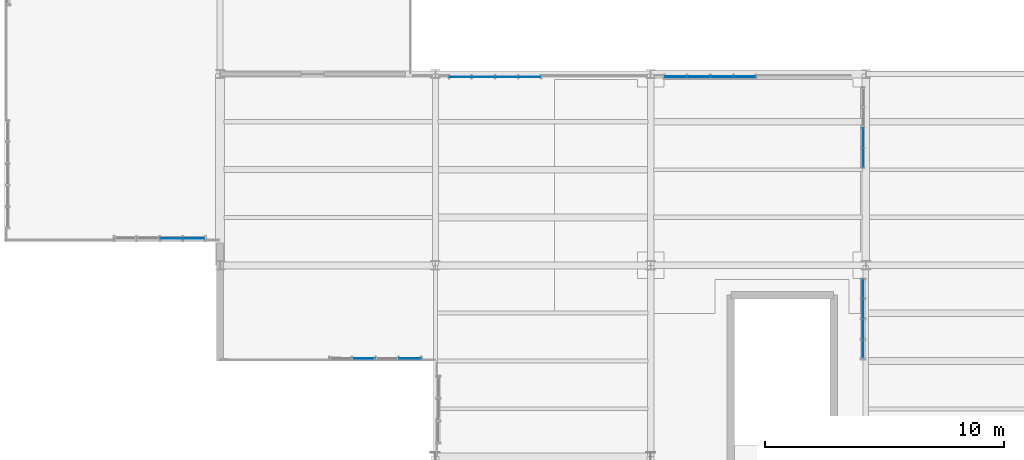
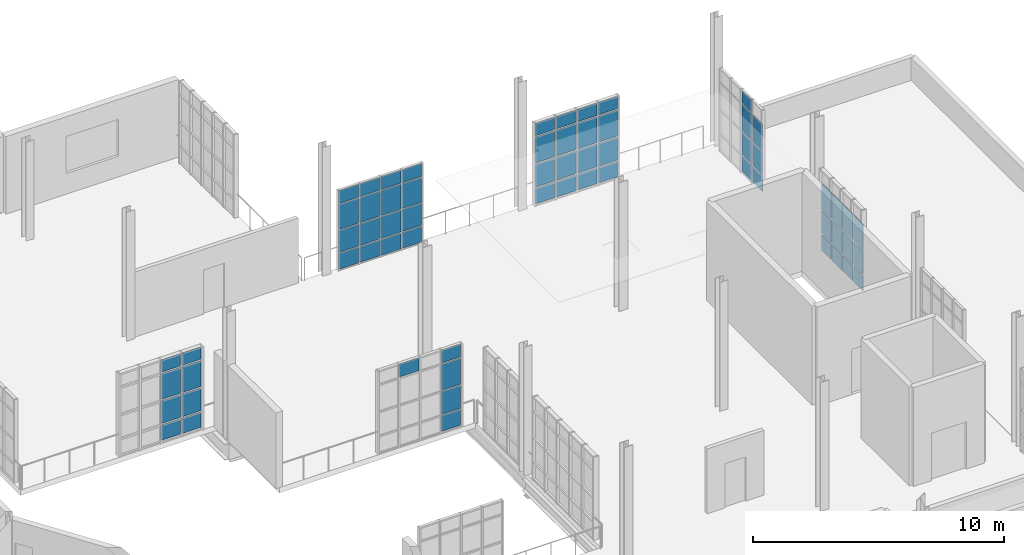
# One storey, part 94 of 118: 64 plates, 6 elements without a shape of their own.
"""IFC4 building model written with IfcOpenShell, lengths in metres."""

from ifc_helpers import new_model, si_unit, direction, frame, origin, origin_2d, place, context, subcontext, project, spatial, rectangle, extrude, material, layer, layer_set, type_object, element, aggregate, save


model = new_model("IFC4")

# Units and contexts
model_context = context("Model", 3, precision=1e-05, world=origin(), true_north=direction((0.0, 1.0)))
body_context = subcontext(model_context, "Body", "Model", "MODEL_VIEW")
ifc_project = project(units=[si_unit("LENGTHUNIT", "METRE"), si_unit("AREAUNIT", "SQUARE_METRE"), si_unit("VOLUMEUNIT", "CUBIC_METRE"), si_unit("PLANEANGLEUNIT", "RADIAN"), si_unit("MASSUNIT", "GRAM", prefix="KILO"), si_unit("THERMODYNAMICTEMPERATUREUNIT", "KELVIN"), si_unit("POWERUNIT", "WATT")], contexts=[model_context])

# Site, building, storey
site_placement = place(None, origin())
site = spatial("IfcSite", under=ifc_project, at=site_placement, CompositionType="ELEMENT")
building_placement = place(site_placement, origin())
building = spatial("IfcBuilding", under=site, at=building_placement, Name="Zelmaris Science Centre", CompositionType="ELEMENT")
storey_placement = place(building_placement, frame((0.0, 0.0, 15.60009765625)))
storey = spatial("IfcBuildingStorey", under=building, at=storey_placement, Name="L03", CompositionType="ELEMENT", Elevation=15.60009765625)

# Curtain wall, plates
ifc_material_1 = material(Name="Anodised architectural aluminium 6063-T6", Category="aluminium")
ifc_layer_1 = layer(ifc_material_1, 0.18994140625, Name="Anodised architectural aluminium 6063-T6")
ifc_layer_set_1 = layer_set([ifc_layer_1], Name="Anodised architectural aluminium 6063-T6")
curtain_wall_type_1 = type_object("IfcCurtainWallType", Name="Curtain Wall CW-01", PredefinedType="USERDEFINED", material=ifc_layer_set_1)
curtain_wall_1_placement = place(storey_placement, origin())
curtain_wall_1 = element("IfcCurtainWall", 1, at=curtain_wall_1_placement, inside=storey, type_object=curtain_wall_type_1, Name="L03 Unitised curtain wall 329", ObjectType="GLAZED CURTAIN WALL", PredefinedType="USERDEFINED")
ifc_material_2 = material(Name="Laminated hurricane-rated low-E insulated glazing", Category="glass")
ifc_layer_2 = layer(ifc_material_2, 0.031982421875, Name="Laminated hurricane-rated low-E insulated glazing")
ifc_layer_set_2 = layer_set([ifc_layer_2], Name="Laminated hurricane-rated low-E insulated glazing")
plate_type_1 = type_object("IfcPlateType", Name="Curtain Glazing Panel CWP-1 32mm", PredefinedType="CURTAIN_PANEL", material=ifc_layer_set_2)
plate_1_placement = place(storey_placement, frame((106.91455078125, 49.11767578125, 0.05712890625), z_axis=(0.0, 0.0, 1.0), x_axis=(-0.999999959785, 0.00028360017, 0.0)))
plate_1 = element("IfcPlate", 2, at=plate_1_placement, type_object=plate_type_1, Name="CW-01 panel 1.1", PredefinedType="CURTAIN_PANEL", context=body_context, shape_type="SweptSolid", body=[
    extrude(rectangle(XDim=0.861572265625, YDim=0.031982421875, at=origin_2d()), origin(), (0.0, 0.0, 1.0), 0.741943359375),
])
plate_2_placement = place(storey_placement, frame((106.91455078125, 49.11767578125, 0.870849609375), z_axis=(0.0, 0.0, 1.0), x_axis=(-0.999999959785, 0.00028360017, 0.0)))
plate_2 = element("IfcPlate", 3, at=plate_2_placement, type_object=plate_type_1, Name="CW-01 panel 1.2", PredefinedType="CURTAIN_PANEL", context=body_context, shape_type="SweptSolid", body=[
    extrude(rectangle(XDim=0.861572265625, YDim=0.031982421875, at=origin_2d()), origin(), (0.0, 0.0, 1.0), 1.1005859375),
])
plate_3_placement = place(storey_placement, frame((106.91455078125, 49.11767578125, 2.04345703125), z_axis=(0.0, 0.0, 1.0), x_axis=(-0.999999959785, 0.00028360017, 0.0)))
plate_3 = element("IfcPlate", 4, at=plate_3_placement, type_object=plate_type_1, Name="CW-01 panel 1.3", PredefinedType="CURTAIN_PANEL", context=body_context, shape_type="SweptSolid", body=[
    extrude(rectangle(XDim=0.861572265625, YDim=0.031982421875, at=origin_2d()), origin(), (0.0, 0.0, 1.0), 1.25048828125),
])
plate_4_placement = place(storey_placement, frame((106.91455078125, 49.11767578125, 3.36572265625), z_axis=(0.0, 0.0, 1.0), x_axis=(-0.999999959785, 0.00028360017, 0.0)))
plate_4 = element("IfcPlate", 5, at=plate_4_placement, type_object=plate_type_1, Name="CW-01 panel 1.4", PredefinedType="CURTAIN_PANEL", context=body_context, shape_type="SweptSolid", body=[
    extrude(rectangle(XDim=0.861572265625, YDim=0.031982421875, at=origin_2d()), origin(), (0.0, 0.0, 1.0), 0.592041015625),
])
plate_5_placement = place(storey_placement, frame((105.962890625, 49.117919921875, 0.05712890625), z_axis=(0.0, 0.0, 1.0), x_axis=(-0.999999959785, 0.00028360017, 0.0)))
plate_5 = element("IfcPlate", 6, at=plate_5_placement, type_object=plate_type_1, Name="CW-01 panel 2.1", PredefinedType="CURTAIN_PANEL", context=body_context, shape_type="SweptSolid", body=[
    extrude(rectangle(XDim=0.897705078125, YDim=0.031982421875, at=origin_2d()), origin(), (0.0, 0.0, 1.0), 0.741943359375),
])
plate_6_placement = place(storey_placement, frame((105.962890625, 49.117919921875, 0.870849609375), z_axis=(0.0, 0.0, 1.0), x_axis=(-0.999999959785, 0.00028360017, 0.0)))
plate_6 = element("IfcPlate", 7, at=plate_6_placement, type_object=plate_type_1, Name="CW-01 panel 2.2", PredefinedType="CURTAIN_PANEL", context=body_context, shape_type="SweptSolid", body=[
    extrude(rectangle(XDim=0.897705078125, YDim=0.031982421875, at=origin_2d()), origin(), (0.0, 0.0, 1.0), 1.1005859375),
])
plate_7_placement = place(storey_placement, frame((105.962890625, 49.117919921875, 2.04345703125), z_axis=(0.0, 0.0, 1.0), x_axis=(-0.999999959785, 0.00028360017, 0.0)))
plate_7 = element("IfcPlate", 8, at=plate_7_placement, type_object=plate_type_1, Name="CW-01 panel 2.3", PredefinedType="CURTAIN_PANEL", context=body_context, shape_type="SweptSolid", body=[
    extrude(rectangle(XDim=0.897705078125, YDim=0.031982421875, at=origin_2d()), origin(), (0.0, 0.0, 1.0), 1.25048828125),
])
plate_8_placement = place(storey_placement, frame((105.962890625, 49.117919921875, 3.36572265625), z_axis=(0.0, 0.0, 1.0), x_axis=(-0.999999959785, 0.00028360017, 0.0)))
plate_8 = element("IfcPlate", 9, at=plate_8_placement, type_object=plate_type_1, Name="CW-01 panel 2.4", PredefinedType="CURTAIN_PANEL", context=body_context, shape_type="SweptSolid", body=[
    extrude(rectangle(XDim=0.897705078125, YDim=0.031982421875, at=origin_2d()), origin(), (0.0, 0.0, 1.0), 0.592041015625),
])
aggregate(curtain_wall_1, [plate_1, plate_2, plate_3, plate_4, plate_5, plate_6, plate_7, plate_8])

ifc_layer_3 = layer(ifc_material_1, 0.199951171875, Name="Anodised architectural aluminium 6063-T6")
ifc_layer_set_3 = layer_set([ifc_layer_3], Name="Anodised architectural aluminium 6063-T6")
curtain_wall_type_2 = type_object("IfcCurtainWallType", Name="Curtain Wall CW-02", PredefinedType="USERDEFINED", material=ifc_layer_set_3)
curtain_wall_2_placement = place(storey_placement, origin())
curtain_wall_2 = element("IfcCurtainWall", 10, at=curtain_wall_2_placement, inside=storey, type_object=curtain_wall_type_2, Name="L03 Unitised curtain wall 294", ObjectType="GLAZED CURTAIN WALL", PredefinedType="USERDEFINED")
ifc_layer_4 = layer(ifc_material_2, 0.028076171875, Name="Laminated hurricane-rated low-E insulated glazing")
ifc_layer_set_4 = layer_set([ifc_layer_4], Name="Laminated hurricane-rated low-E insulated glazing")
plate_type_2 = type_object("IfcPlateType", Name="Curtain Glazing Panel CWP-2 28mm", PredefinedType="CURTAIN_PANEL", material=ifc_layer_set_4)
plate_9_placement = place(storey_placement, frame((127.044189453125, 55.8798828125, 0.052001953125), z_axis=(0.0, 0.0, 1.0), x_axis=(0.999999999671, -2.5641033e-05, 0.0)))
plate_9 = element("IfcPlate", 11, at=plate_9_placement, type_object=plate_type_2, Name="CW-02 panel 1.1", PredefinedType="CURTAIN_PANEL", context=body_context, shape_type="SweptSolid", body=[
    extrude(rectangle(XDim=0.87451171875, YDim=0.028076171875, at=origin_2d()), origin(), (0.0, 0.0, 1.0), 0.74951171875),
])
plate_10_placement = place(storey_placement, frame((127.044189453125, 55.8798828125, 0.868408203125), z_axis=(0.0, 0.0, 1.0), x_axis=(0.999999999671, -2.5641033e-05, 0.0)))
plate_10 = element("IfcPlate", 12, at=plate_10_placement, type_object=plate_type_2, Name="CW-02 panel 1.2", PredefinedType="CURTAIN_PANEL", context=body_context, shape_type="SweptSolid", body=[
    extrude(rectangle(XDim=0.87451171875, YDim=0.028076171875, at=origin_2d()), origin(), (0.0, 0.0, 1.0), 1.10546875),
])
plate_11_placement = place(storey_placement, frame((127.044189453125, 55.8798828125, 2.041015625), z_axis=(0.0, 0.0, 1.0), x_axis=(0.999999999671, -2.5641033e-05, 0.0)))
plate_11 = element("IfcPlate", 13, at=plate_11_placement, type_object=plate_type_2, Name="CW-02 panel 1.3", PredefinedType="CURTAIN_PANEL", context=body_context, shape_type="SweptSolid", body=[
    extrude(rectangle(XDim=0.87451171875, YDim=0.028076171875, at=origin_2d()), origin(), (0.0, 0.0, 1.0), 1.255615234375),
])
plate_12_placement = place(storey_placement, frame((127.044189453125, 55.8798828125, 3.36328125), z_axis=(0.0, 0.0, 1.0), x_axis=(0.999999999671, -2.5641033e-05, 0.0)))
plate_12 = element("IfcPlate", 14, at=plate_12_placement, type_object=plate_type_2, Name="CW-02 panel 1.4", PredefinedType="CURTAIN_PANEL", context=body_context, shape_type="SweptSolid", body=[
    extrude(rectangle(XDim=0.87451171875, YDim=0.028076171875, at=origin_2d()), origin(), (0.0, 0.0, 1.0), 0.599609375),
])
plate_13_placement = place(storey_placement, frame((128.00244140625, 55.8798828125, 0.052001953125), z_axis=(0.0, 0.0, 1.0), x_axis=(0.999999999671, -2.5641033e-05, 0.0)))
plate_13 = element("IfcPlate", 15, at=plate_13_placement, type_object=plate_type_2, Name="CW-02 panel 2.1", PredefinedType="CURTAIN_PANEL", context=body_context, shape_type="SweptSolid", body=[
    extrude(rectangle(XDim=0.907958984375, YDim=0.028076171875, at=origin_2d()), origin(), (0.0, 0.0, 1.0), 0.74951171875),
])
plate_14_placement = place(storey_placement, frame((128.00244140625, 55.8798828125, 0.868408203125), z_axis=(0.0, 0.0, 1.0), x_axis=(0.999999999671, -2.5641033e-05, 0.0)))
plate_14 = element("IfcPlate", 16, at=plate_14_placement, type_object=plate_type_2, Name="CW-02 panel 2.2", PredefinedType="CURTAIN_PANEL", context=body_context, shape_type="SweptSolid", body=[
    extrude(rectangle(XDim=0.907958984375, YDim=0.028076171875, at=origin_2d()), origin(), (0.0, 0.0, 1.0), 1.10546875),
])
plate_15_placement = place(storey_placement, frame((128.00244140625, 55.8798828125, 2.041015625), z_axis=(0.0, 0.0, 1.0), x_axis=(0.999999999671, -2.5641033e-05, 0.0)))
plate_15 = element("IfcPlate", 17, at=plate_15_placement, type_object=plate_type_2, Name="CW-02 panel 2.3", PredefinedType="CURTAIN_PANEL", context=body_context, shape_type="SweptSolid", body=[
    extrude(rectangle(XDim=0.907958984375, YDim=0.028076171875, at=origin_2d()), origin(), (0.0, 0.0, 1.0), 1.255615234375),
])
plate_16_placement = place(storey_placement, frame((128.00244140625, 55.8798828125, 3.36328125), z_axis=(0.0, 0.0, 1.0), x_axis=(0.999999999671, -2.5641033e-05, 0.0)))
plate_16 = element("IfcPlate", 18, at=plate_16_placement, type_object=plate_type_2, Name="CW-02 panel 2.4", PredefinedType="CURTAIN_PANEL", context=body_context, shape_type="SweptSolid", body=[
    extrude(rectangle(XDim=0.907958984375, YDim=0.028076171875, at=origin_2d()), origin(), (0.0, 0.0, 1.0), 0.599609375),
])
plate_17_placement = place(storey_placement, frame((128.9775390625, 55.8798828125, 0.052001953125), z_axis=(0.0, 0.0, 1.0), x_axis=(0.999999999671, -2.5641033e-05, 0.0)))
plate_17 = element("IfcPlate", 19, at=plate_17_placement, type_object=plate_type_2, Name="CW-02 panel 3.1", PredefinedType="CURTAIN_PANEL", context=body_context, shape_type="SweptSolid", body=[
    extrude(rectangle(XDim=0.907958984375, YDim=0.028076171875, at=origin_2d()), origin(), (0.0, 0.0, 1.0), 0.74951171875),
])
plate_18_placement = place(storey_placement, frame((128.9775390625, 55.8798828125, 0.868408203125), z_axis=(0.0, 0.0, 1.0), x_axis=(0.999999999671, -2.5641033e-05, 0.0)))
plate_18 = element("IfcPlate", 20, at=plate_18_placement, type_object=plate_type_2, Name="CW-02 panel 3.2", PredefinedType="CURTAIN_PANEL", context=body_context, shape_type="SweptSolid", body=[
    extrude(rectangle(XDim=0.907958984375, YDim=0.028076171875, at=origin_2d()), origin(), (0.0, 0.0, 1.0), 1.10546875),
])
plate_19_placement = place(storey_placement, frame((128.9775390625, 55.8798828125, 2.041015625), z_axis=(0.0, 0.0, 1.0), x_axis=(0.999999999671, -2.5641033e-05, 0.0)))
plate_19 = element("IfcPlate", 21, at=plate_19_placement, type_object=plate_type_2, Name="CW-02 panel 3.3", PredefinedType="CURTAIN_PANEL", context=body_context, shape_type="SweptSolid", body=[
    extrude(rectangle(XDim=0.907958984375, YDim=0.028076171875, at=origin_2d()), origin(), (0.0, 0.0, 1.0), 1.255615234375),
])
plate_20_placement = place(storey_placement, frame((128.9775390625, 55.8798828125, 3.36328125), z_axis=(0.0, 0.0, 1.0), x_axis=(0.999999999671, -2.5641033e-05, 0.0)))
plate_20 = element("IfcPlate", 22, at=plate_20_placement, type_object=plate_type_2, Name="CW-02 panel 3.4", PredefinedType="CURTAIN_PANEL", context=body_context, shape_type="SweptSolid", body=[
    extrude(rectangle(XDim=0.907958984375, YDim=0.028076171875, at=origin_2d()), origin(), (0.0, 0.0, 1.0), 0.599609375),
])
plate_21_placement = place(storey_placement, frame((129.935791015625, 55.8798828125, 0.052001953125), z_axis=(0.0, 0.0, 1.0), x_axis=(0.999999999671, -2.5641033e-05, 0.0)))
plate_21 = element("IfcPlate", 23, at=plate_21_placement, type_object=plate_type_2, Name="CW-02 panel 4.1", PredefinedType="CURTAIN_PANEL", context=body_context, shape_type="SweptSolid", body=[
    extrude(rectangle(XDim=0.87451171875, YDim=0.028076171875, at=origin_2d()), origin(), (0.0, 0.0, 1.0), 0.74951171875),
])
plate_22_placement = place(storey_placement, frame((129.935791015625, 55.8798828125, 0.868408203125), z_axis=(0.0, 0.0, 1.0), x_axis=(0.999999999671, -2.5641033e-05, 0.0)))
plate_22 = element("IfcPlate", 24, at=plate_22_placement, type_object=plate_type_2, Name="CW-02 panel 4.2", PredefinedType="CURTAIN_PANEL", context=body_context, shape_type="SweptSolid", body=[
    extrude(rectangle(XDim=0.87451171875, YDim=0.028076171875, at=origin_2d()), origin(), (0.0, 0.0, 1.0), 1.10546875),
])
plate_23_placement = place(storey_placement, frame((129.935791015625, 55.8798828125, 2.041015625), z_axis=(0.0, 0.0, 1.0), x_axis=(0.999999999671, -2.5641033e-05, 0.0)))
plate_23 = element("IfcPlate", 25, at=plate_23_placement, type_object=plate_type_2, Name="CW-02 panel 4.3", PredefinedType="CURTAIN_PANEL", context=body_context, shape_type="SweptSolid", body=[
    extrude(rectangle(XDim=0.87451171875, YDim=0.028076171875, at=origin_2d()), origin(), (0.0, 0.0, 1.0), 1.255615234375),
])
plate_24_placement = place(storey_placement, frame((129.935791015625, 55.8798828125, 3.36328125), z_axis=(0.0, 0.0, 1.0), x_axis=(0.999999999671, -2.5641033e-05, 0.0)))
plate_24 = element("IfcPlate", 26, at=plate_24_placement, type_object=plate_type_2, Name="CW-02 panel 4.4", PredefinedType="CURTAIN_PANEL", context=body_context, shape_type="SweptSolid", body=[
    extrude(rectangle(XDim=0.87451171875, YDim=0.028076171875, at=origin_2d()), origin(), (0.0, 0.0, 1.0), 0.599609375),
])
aggregate(curtain_wall_2, [plate_9, plate_10, plate_11, plate_12, plate_13, plate_14, plate_15, plate_16, plate_17, plate_18, plate_19, plate_20, plate_21, plate_22, plate_23, plate_24])

curtain_wall_3_placement = place(storey_placement, origin())
curtain_wall_3 = element("IfcCurtainWall", 27, at=curtain_wall_3_placement, inside=storey, type_object=curtain_wall_type_2, Name="L03 Unitised curtain wall 298", ObjectType="GLAZED CURTAIN WALL", PredefinedType="USERDEFINED")
plate_25_placement = place(storey_placement, frame((134.8798828125, 47.018310546875, 0.052001953125), z_axis=(0.0, 0.0, 1.0), x_axis=(0.0, -1.0, 0.0)))
plate_25 = element("IfcPlate", 28, at=plate_25_placement, type_object=plate_type_2, Name="CW-02 panel 1.1", PredefinedType="CURTAIN_PANEL", context=body_context, shape_type="SweptSolid", body=[
    extrude(rectangle(XDim=0.74951171875, YDim=0.028076171875, at=origin_2d()), origin(), (0.0, 0.0, 1.0), 0.74951171875),
])
plate_26_placement = place(storey_placement, frame((134.8798828125, 47.018310546875, 0.868408203125), z_axis=(0.0, 0.0, 1.0), x_axis=(0.0, -1.0, 0.0)))
plate_26 = element("IfcPlate", 29, at=plate_26_placement, type_object=plate_type_2, Name="CW-02 panel 1.2", PredefinedType="CURTAIN_PANEL", context=body_context, shape_type="SweptSolid", body=[
    extrude(rectangle(XDim=0.74951171875, YDim=0.028076171875, at=origin_2d()), origin(), (0.0, 0.0, 1.0), 1.10546875),
])
plate_27_placement = place(storey_placement, frame((134.8798828125, 47.018310546875, 2.041015625), z_axis=(0.0, 0.0, 1.0), x_axis=(0.0, -1.0, 0.0)))
plate_27 = element("IfcPlate", 30, at=plate_27_placement, type_object=plate_type_2, Name="CW-02 panel 1.3", PredefinedType="CURTAIN_PANEL", context=body_context, shape_type="SweptSolid", body=[
    extrude(rectangle(XDim=0.74951171875, YDim=0.028076171875, at=origin_2d()), origin(), (0.0, 0.0, 1.0), 1.255615234375),
])
plate_28_placement = place(storey_placement, frame((134.8798828125, 46.18505859375, 0.052001953125), z_axis=(0.0, 0.0, 1.0), x_axis=(0.0, -1.0, 0.0)))
plate_28 = element("IfcPlate", 31, at=plate_28_placement, type_object=plate_type_2, Name="CW-02 panel 2.1", PredefinedType="CURTAIN_PANEL", context=body_context, shape_type="SweptSolid", body=[
    extrude(rectangle(XDim=0.782958984375, YDim=0.028076171875, at=origin_2d()), origin(), (0.0, 0.0, 1.0), 0.74951171875),
])
plate_29_placement = place(storey_placement, frame((134.8798828125, 46.18505859375, 0.868408203125), z_axis=(0.0, 0.0, 1.0), x_axis=(0.0, -1.0, 0.0)))
plate_29 = element("IfcPlate", 32, at=plate_29_placement, type_object=plate_type_2, Name="CW-02 panel 2.2", PredefinedType="CURTAIN_PANEL", context=body_context, shape_type="SweptSolid", body=[
    extrude(rectangle(XDim=0.782958984375, YDim=0.028076171875, at=origin_2d()), origin(), (0.0, 0.0, 1.0), 1.10546875),
])
plate_30_placement = place(storey_placement, frame((134.8798828125, 46.18505859375, 2.041015625), z_axis=(0.0, 0.0, 1.0), x_axis=(0.0, -1.0, 0.0)))
plate_30 = element("IfcPlate", 33, at=plate_30_placement, type_object=plate_type_2, Name="CW-02 panel 2.3", PredefinedType="CURTAIN_PANEL", context=body_context, shape_type="SweptSolid", body=[
    extrude(rectangle(XDim=0.782958984375, YDim=0.028076171875, at=origin_2d()), origin(), (0.0, 0.0, 1.0), 1.255615234375),
])
plate_31_placement = place(storey_placement, frame((134.8798828125, 45.3349609375, 0.052001953125), z_axis=(0.0, 0.0, 1.0), x_axis=(0.0, -1.0, 0.0)))
plate_31 = element("IfcPlate", 34, at=plate_31_placement, type_object=plate_type_2, Name="CW-02 panel 3.1", PredefinedType="CURTAIN_PANEL", context=body_context, shape_type="SweptSolid", body=[
    extrude(rectangle(XDim=0.782958984375, YDim=0.028076171875, at=origin_2d()), origin(), (0.0, 0.0, 1.0), 0.74951171875),
])
plate_32_placement = place(storey_placement, frame((134.8798828125, 45.3349609375, 0.868408203125), z_axis=(0.0, 0.0, 1.0), x_axis=(0.0, -1.0, 0.0)))
plate_32 = element("IfcPlate", 35, at=plate_32_placement, type_object=plate_type_2, Name="CW-02 panel 3.2", PredefinedType="CURTAIN_PANEL", context=body_context, shape_type="SweptSolid", body=[
    extrude(rectangle(XDim=0.782958984375, YDim=0.028076171875, at=origin_2d()), origin(), (0.0, 0.0, 1.0), 1.10546875),
])
plate_33_placement = place(storey_placement, frame((134.8798828125, 45.3349609375, 2.041015625), z_axis=(0.0, 0.0, 1.0), x_axis=(0.0, -1.0, 0.0)))
plate_33 = element("IfcPlate", 36, at=plate_33_placement, type_object=plate_type_2, Name="CW-02 panel 3.3", PredefinedType="CURTAIN_PANEL", context=body_context, shape_type="SweptSolid", body=[
    extrude(rectangle(XDim=0.782958984375, YDim=0.028076171875, at=origin_2d()), origin(), (0.0, 0.0, 1.0), 1.255615234375),
])
plate_34_placement = place(storey_placement, frame((134.8798828125, 44.501708984375, 0.052001953125), z_axis=(0.0, 0.0, 1.0), x_axis=(0.0, -1.0, 0.0)))
plate_34 = element("IfcPlate", 37, at=plate_34_placement, type_object=plate_type_2, Name="CW-02 panel 4.1", PredefinedType="CURTAIN_PANEL", context=body_context, shape_type="SweptSolid", body=[
    extrude(rectangle(XDim=0.74951171875, YDim=0.028076171875, at=origin_2d()), origin(), (0.0, 0.0, 1.0), 0.74951171875),
])
plate_35_placement = place(storey_placement, frame((134.8798828125, 44.501708984375, 0.868408203125), z_axis=(0.0, 0.0, 1.0), x_axis=(0.0, -1.0, 0.0)))
plate_35 = element("IfcPlate", 38, at=plate_35_placement, type_object=plate_type_2, Name="CW-02 panel 4.2", PredefinedType="CURTAIN_PANEL", context=body_context, shape_type="SweptSolid", body=[
    extrude(rectangle(XDim=0.74951171875, YDim=0.028076171875, at=origin_2d()), origin(), (0.0, 0.0, 1.0), 1.10546875),
])
plate_36_placement = place(storey_placement, frame((134.8798828125, 44.501708984375, 2.041015625), z_axis=(0.0, 0.0, 1.0), x_axis=(0.0, -1.0, 0.0)))
plate_36 = element("IfcPlate", 39, at=plate_36_placement, type_object=plate_type_2, Name="CW-02 panel 4.3", PredefinedType="CURTAIN_PANEL", context=body_context, shape_type="SweptSolid", body=[
    extrude(rectangle(XDim=0.74951171875, YDim=0.028076171875, at=origin_2d()), origin(), (0.0, 0.0, 1.0), 1.255615234375),
])
aggregate(curtain_wall_3, [plate_25, plate_26, plate_27, plate_28, plate_29, plate_30, plate_31, plate_32, plate_33, plate_34, plate_35, plate_36])

ifc_layer_5 = layer(ifc_material_1, 0.2099609375, Name="Anodised architectural aluminium 6063-T6")
ifc_layer_set_5 = layer_set([ifc_layer_5], Name="Anodised architectural aluminium 6063-T6")
curtain_wall_type_3 = type_object("IfcCurtainWallType", Name="Curtain Wall CW-03", PredefinedType="USERDEFINED", material=ifc_layer_set_5)
curtain_wall_4_placement = place(storey_placement, origin())
curtain_wall_4 = element("IfcCurtainWall", 40, at=curtain_wall_4_placement, inside=storey, type_object=curtain_wall_type_3, Name="L03 Unitised curtain wall 327", ObjectType="GLAZED CURTAIN WALL", PredefinedType="USERDEFINED")
ifc_layer_6 = layer(ifc_material_2, 0.02587890625, Name="Laminated hurricane-rated low-E insulated glazing")
ifc_layer_set_6 = layer_set([ifc_layer_6], Name="Laminated hurricane-rated low-E insulated glazing")
plate_type_3 = type_object("IfcPlateType", Name="Curtain Glazing Panel CWP-3 26mm", PredefinedType="CURTAIN_PANEL", material=ifc_layer_set_6)
plate_37_placement = place(storey_placement, frame((115.93798828125, 44.10791015625, 0.0419921875), z_axis=(0.0, 0.0, 1.0), x_axis=(-0.999998849207, 0.001517097758, 0.0)))
plate_37 = element("IfcPlate", 41, at=plate_37_placement, type_object=plate_type_3, Name="CW-03 panel 1.1", PredefinedType="CURTAIN_PANEL", context=body_context, shape_type="SweptSolid", body=[
    extrude(rectangle(XDim=0.88671875, YDim=0.02587890625, at=origin_2d()), origin(), (0.0, 0.0, 1.0), 0.764404296875),
])
plate_38_placement = place(storey_placement, frame((115.93798828125, 44.10791015625, 0.86328125), z_axis=(0.0, 0.0, 1.0), x_axis=(-0.999998849207, 0.001517097758, 0.0)))
plate_38 = element("IfcPlate", 42, at=plate_38_placement, type_object=plate_type_3, Name="CW-03 panel 1.2", PredefinedType="CURTAIN_PANEL", context=body_context, shape_type="SweptSolid", body=[
    extrude(rectangle(XDim=0.88671875, YDim=0.02587890625, at=origin_2d()), origin(), (0.0, 0.0, 1.0), 1.115478515625),
])
plate_39_placement = place(storey_placement, frame((115.93798828125, 44.10791015625, 2.0361328125), z_axis=(0.0, 0.0, 1.0), x_axis=(-0.999998849207, 0.001517097758, 0.0)))
plate_39 = element("IfcPlate", 43, at=plate_39_placement, type_object=plate_type_3, Name="CW-03 panel 1.3", PredefinedType="CURTAIN_PANEL", context=body_context, shape_type="SweptSolid", body=[
    extrude(rectangle(XDim=0.88671875, YDim=0.02587890625, at=origin_2d()), origin(), (0.0, 0.0, 1.0), 1.265380859375),
])
plate_40_placement = place(storey_placement, frame((115.93798828125, 44.10791015625, 3.3583984375), z_axis=(0.0, 0.0, 1.0), x_axis=(-0.999998849207, 0.001517097758, 0.0)))
plate_40 = element("IfcPlate", 44, at=plate_40_placement, type_object=plate_type_3, Name="CW-03 panel 1.4", PredefinedType="CURTAIN_PANEL", context=body_context, shape_type="SweptSolid", body=[
    extrude(rectangle(XDim=0.88671875, YDim=0.02587890625, at=origin_2d()), origin(), (0.0, 0.0, 1.0), 0.614501953125),
])
plate_41_placement = place(storey_placement, frame((114.007568359375, 44.11083984375, 3.3583984375), z_axis=(0.0, 0.0, 1.0), x_axis=(-0.999998849207, 0.001517097758, 0.0)))
plate_41 = element("IfcPlate", 45, at=plate_41_placement, type_object=plate_type_3, Name="CW-03 panel 3.4", PredefinedType="CURTAIN_PANEL", context=body_context, shape_type="SweptSolid", body=[
    extrude(rectangle(XDim=0.915283203125, YDim=0.02587890625, at=origin_2d()), origin(), (0.0, 0.0, 1.0), 0.614501953125),
])
aggregate(curtain_wall_4, [plate_37, plate_38, plate_39, plate_40, plate_41])

ifc_layer_7 = layer(ifc_material_1, 0.219970703125, Name="Anodised architectural aluminium 6063-T6")
ifc_layer_set_7 = layer_set([ifc_layer_7], Name="Anodised architectural aluminium 6063-T6")
curtain_wall_type_4 = type_object("IfcCurtainWallType", Name="Curtain Wall CW-04", PredefinedType="USERDEFINED", material=ifc_layer_set_7)
curtain_wall_5_placement = place(storey_placement, origin())
curtain_wall_5 = element("IfcCurtainWall", 46, at=curtain_wall_5_placement, inside=storey, type_object=curtain_wall_type_4, Name="L03 Unitised curtain wall 292", ObjectType="GLAZED CURTAIN WALL", PredefinedType="USERDEFINED")
ifc_layer_8 = layer(ifc_material_2, 0.02392578125, Name="Laminated hurricane-rated low-E insulated glazing")
ifc_layer_set_8 = layer_set([ifc_layer_8], Name="Laminated hurricane-rated low-E insulated glazing")
plate_type_4 = type_object("IfcPlateType", Name="Curtain Glazing Panel CWP-4 24mm", PredefinedType="CURTAIN_PANEL", material=ifc_layer_set_8)
plate_42_placement = place(storey_placement, frame((118.04052734375, 55.8798828125, 0.036865234375), z_axis=(0.0, 0.0, 1.0), x_axis=(1.0, 0.0, 0.0)))
plate_42 = element("IfcPlate", 47, at=plate_42_placement, type_object=plate_type_4, Name="CW-04 panel 1.1", PredefinedType="CURTAIN_PANEL", context=body_context, shape_type="SweptSolid", body=[
    extrude(rectangle(XDim=0.89697265625, YDim=0.02392578125, at=origin_2d()), origin(), (0.0, 0.0, 1.0), 0.77197265625),
])
plate_43_placement = place(storey_placement, frame((118.04052734375, 55.8798828125, 0.86083984375), z_axis=(0.0, 0.0, 1.0), x_axis=(1.0, 0.0, 0.0)))
plate_43 = element("IfcPlate", 48, at=plate_43_placement, type_object=plate_type_4, Name="CW-04 panel 1.2", PredefinedType="CURTAIN_PANEL", context=body_context, shape_type="SweptSolid", body=[
    extrude(rectangle(XDim=0.89697265625, YDim=0.02392578125, at=origin_2d()), origin(), (0.0, 0.0, 1.0), 1.056884765625),
])
plate_44_placement = place(storey_placement, frame((118.04052734375, 55.8798828125, 1.969970703125), z_axis=(0.0, 0.0, 1.0), x_axis=(1.0, 0.0, 0.0)))
plate_44 = element("IfcPlate", 49, at=plate_44_placement, type_object=plate_type_4, Name="CW-04 panel 1.3", PredefinedType="CURTAIN_PANEL", context=body_context, shape_type="SweptSolid", body=[
    extrude(rectangle(XDim=0.89697265625, YDim=0.02392578125, at=origin_2d()), origin(), (0.0, 0.0, 1.0), 1.20703125),
])
plate_45_placement = place(storey_placement, frame((118.04052734375, 55.8798828125, 3.228759765625), z_axis=(0.0, 0.0, 1.0), x_axis=(1.0, 0.0, 0.0)))
plate_45 = element("IfcPlate", 50, at=plate_45_placement, type_object=plate_type_4, Name="CW-04 panel 1.4", PredefinedType="CURTAIN_PANEL", context=body_context, shape_type="SweptSolid", body=[
    extrude(rectangle(XDim=0.89697265625, YDim=0.02392578125, at=origin_2d()), origin(), (0.0, 0.0, 1.0), 0.6220703125),
])
plate_46_placement = place(storey_placement, frame((119.00244140625, 55.8798828125, 0.036865234375), z_axis=(0.0, 0.0, 1.0), x_axis=(1.0, 0.0, 0.0)))
plate_46 = element("IfcPlate", 51, at=plate_46_placement, type_object=plate_type_4, Name="CW-04 panel 2.1", PredefinedType="CURTAIN_PANEL", context=body_context, shape_type="SweptSolid", body=[
    extrude(rectangle(XDim=0.923095703125, YDim=0.02392578125, at=origin_2d()), origin(), (0.0, 0.0, 1.0), 0.77197265625),
])
plate_47_placement = place(storey_placement, frame((119.00244140625, 55.8798828125, 0.86083984375), z_axis=(0.0, 0.0, 1.0), x_axis=(1.0, 0.0, 0.0)))
plate_47 = element("IfcPlate", 52, at=plate_47_placement, type_object=plate_type_4, Name="CW-04 panel 2.2", PredefinedType="CURTAIN_PANEL", context=body_context, shape_type="SweptSolid", body=[
    extrude(rectangle(XDim=0.923095703125, YDim=0.02392578125, at=origin_2d()), origin(), (0.0, 0.0, 1.0), 1.056884765625),
])
plate_48_placement = place(storey_placement, frame((119.00244140625, 55.8798828125, 1.969970703125), z_axis=(0.0, 0.0, 1.0), x_axis=(1.0, 0.0, 0.0)))
plate_48 = element("IfcPlate", 53, at=plate_48_placement, type_object=plate_type_4, Name="CW-04 panel 2.3", PredefinedType="CURTAIN_PANEL", context=body_context, shape_type="SweptSolid", body=[
    extrude(rectangle(XDim=0.923095703125, YDim=0.02392578125, at=origin_2d()), origin(), (0.0, 0.0, 1.0), 1.20703125),
])
plate_49_placement = place(storey_placement, frame((119.00244140625, 55.8798828125, 3.228759765625), z_axis=(0.0, 0.0, 1.0), x_axis=(1.0, 0.0, 0.0)))
plate_49 = element("IfcPlate", 54, at=plate_49_placement, type_object=plate_type_4, Name="CW-04 panel 2.4", PredefinedType="CURTAIN_PANEL", context=body_context, shape_type="SweptSolid", body=[
    extrude(rectangle(XDim=0.923095703125, YDim=0.02392578125, at=origin_2d()), origin(), (0.0, 0.0, 1.0), 0.6220703125),
])
plate_50_placement = place(storey_placement, frame((119.9775390625, 55.8798828125, 0.036865234375), z_axis=(0.0, 0.0, 1.0), x_axis=(1.0, 0.0, 0.0)))
plate_50 = element("IfcPlate", 55, at=plate_50_placement, type_object=plate_type_4, Name="CW-04 panel 3.1", PredefinedType="CURTAIN_PANEL", context=body_context, shape_type="SweptSolid", body=[
    extrude(rectangle(XDim=0.923095703125, YDim=0.02392578125, at=origin_2d()), origin(), (0.0, 0.0, 1.0), 0.77197265625),
])
plate_51_placement = place(storey_placement, frame((119.9775390625, 55.8798828125, 0.86083984375), z_axis=(0.0, 0.0, 1.0), x_axis=(1.0, 0.0, 0.0)))
plate_51 = element("IfcPlate", 56, at=plate_51_placement, type_object=plate_type_4, Name="CW-04 panel 3.2", PredefinedType="CURTAIN_PANEL", context=body_context, shape_type="SweptSolid", body=[
    extrude(rectangle(XDim=0.923095703125, YDim=0.02392578125, at=origin_2d()), origin(), (0.0, 0.0, 1.0), 1.056884765625),
])
plate_52_placement = place(storey_placement, frame((119.9775390625, 55.8798828125, 1.969970703125), z_axis=(0.0, 0.0, 1.0), x_axis=(1.0, 0.0, 0.0)))
plate_52 = element("IfcPlate", 57, at=plate_52_placement, type_object=plate_type_4, Name="CW-04 panel 3.3", PredefinedType="CURTAIN_PANEL", context=body_context, shape_type="SweptSolid", body=[
    extrude(rectangle(XDim=0.923095703125, YDim=0.02392578125, at=origin_2d()), origin(), (0.0, 0.0, 1.0), 1.20703125),
])
plate_53_placement = place(storey_placement, frame((119.9775390625, 55.8798828125, 3.228759765625), z_axis=(0.0, 0.0, 1.0), x_axis=(1.0, 0.0, 0.0)))
plate_53 = element("IfcPlate", 58, at=plate_53_placement, type_object=plate_type_4, Name="CW-04 panel 3.4", PredefinedType="CURTAIN_PANEL", context=body_context, shape_type="SweptSolid", body=[
    extrude(rectangle(XDim=0.923095703125, YDim=0.02392578125, at=origin_2d()), origin(), (0.0, 0.0, 1.0), 0.6220703125),
])
plate_54_placement = place(storey_placement, frame((120.939453125, 55.8798828125, 0.036865234375), z_axis=(0.0, 0.0, 1.0), x_axis=(1.0, 0.0, 0.0)))
plate_54 = element("IfcPlate", 59, at=plate_54_placement, type_object=plate_type_4, Name="CW-04 panel 4.1", PredefinedType="CURTAIN_PANEL", context=body_context, shape_type="SweptSolid", body=[
    extrude(rectangle(XDim=0.89697265625, YDim=0.02392578125, at=origin_2d()), origin(), (0.0, 0.0, 1.0), 0.77197265625),
])
plate_55_placement = place(storey_placement, frame((120.939453125, 55.8798828125, 0.86083984375), z_axis=(0.0, 0.0, 1.0), x_axis=(1.0, 0.0, 0.0)))
plate_55 = element("IfcPlate", 60, at=plate_55_placement, type_object=plate_type_4, Name="CW-04 panel 4.2", PredefinedType="CURTAIN_PANEL", context=body_context, shape_type="SweptSolid", body=[
    extrude(rectangle(XDim=0.89697265625, YDim=0.02392578125, at=origin_2d()), origin(), (0.0, 0.0, 1.0), 1.056884765625),
])
plate_56_placement = place(storey_placement, frame((120.939453125, 55.8798828125, 1.969970703125), z_axis=(0.0, 0.0, 1.0), x_axis=(1.0, 0.0, 0.0)))
plate_56 = element("IfcPlate", 61, at=plate_56_placement, type_object=plate_type_4, Name="CW-04 panel 4.3", PredefinedType="CURTAIN_PANEL", context=body_context, shape_type="SweptSolid", body=[
    extrude(rectangle(XDim=0.89697265625, YDim=0.02392578125, at=origin_2d()), origin(), (0.0, 0.0, 1.0), 1.20703125),
])
plate_57_placement = place(storey_placement, frame((120.939453125, 55.8798828125, 3.228759765625), z_axis=(0.0, 0.0, 1.0), x_axis=(1.0, 0.0, 0.0)))
plate_57 = element("IfcPlate", 62, at=plate_57_placement, type_object=plate_type_4, Name="CW-04 panel 4.4", PredefinedType="CURTAIN_PANEL", context=body_context, shape_type="SweptSolid", body=[
    extrude(rectangle(XDim=0.89697265625, YDim=0.02392578125, at=origin_2d()), origin(), (0.0, 0.0, 1.0), 0.6220703125),
])
aggregate(curtain_wall_5, [plate_42, plate_43, plate_44, plate_45, plate_46, plate_47, plate_48, plate_49, plate_50, plate_51, plate_52, plate_53, plate_54, plate_55, plate_56, plate_57])

curtain_wall_6_placement = place(storey_placement, origin())
curtain_wall_6 = element("IfcCurtainWall", 63, at=curtain_wall_6_placement, inside=storey, type_object=curtain_wall_type_4, Name="L03 Unitised curtain wall 296", ObjectType="GLAZED CURTAIN WALL", PredefinedType="USERDEFINED")
plate_58_placement = place(storey_placement, frame((134.8798828125, 53.3349609375, 0.036865234375), z_axis=(0.0, 0.0, 1.0), x_axis=(0.0, -1.0, 0.0)))
plate_58 = element("IfcPlate", 64, at=plate_58_placement, type_object=plate_type_4, Name="CW-04 panel 3.1", PredefinedType="CURTAIN_PANEL", context=body_context, shape_type="SweptSolid", body=[
    extrude(rectangle(XDim=0.798095703125, YDim=0.02392578125, at=origin_2d()), origin(), (0.0, 0.0, 1.0), 0.77197265625),
])
plate_59_placement = place(storey_placement, frame((134.8798828125, 53.3349609375, 0.86083984375), z_axis=(0.0, 0.0, 1.0), x_axis=(0.0, -1.0, 0.0)))
plate_59 = element("IfcPlate", 65, at=plate_59_placement, type_object=plate_type_4, Name="CW-04 panel 3.2", PredefinedType="CURTAIN_PANEL", context=body_context, shape_type="SweptSolid", body=[
    extrude(rectangle(XDim=0.798095703125, YDim=0.02392578125, at=origin_2d()), origin(), (0.0, 0.0, 1.0), 1.12060546875),
])
plate_60_placement = place(storey_placement, frame((134.8798828125, 53.3349609375, 2.033447265625), z_axis=(0.0, 0.0, 1.0), x_axis=(0.0, -1.0, 0.0)))
plate_60 = element("IfcPlate", 66, at=plate_60_placement, type_object=plate_type_4, Name="CW-04 panel 3.3", PredefinedType="CURTAIN_PANEL", context=body_context, shape_type="SweptSolid", body=[
    extrude(rectangle(XDim=0.798095703125, YDim=0.02392578125, at=origin_2d()), origin(), (0.0, 0.0, 1.0), 1.2705078125),
])
plate_61_placement = place(storey_placement, frame((134.8798828125, 53.3349609375, 3.35595703125), z_axis=(0.0, 0.0, 1.0), x_axis=(0.0, -1.0, 0.0)))
plate_61 = element("IfcPlate", 67, at=plate_61_placement, type_object=plate_type_4, Name="CW-04 panel 3.4", PredefinedType="CURTAIN_PANEL", context=body_context, shape_type="SweptSolid", body=[
    extrude(rectangle(XDim=0.798095703125, YDim=0.02392578125, at=origin_2d()), origin(), (0.0, 0.0, 1.0), 0.6220703125),
])
plate_62_placement = place(storey_placement, frame((134.8798828125, 52.498046875, 0.036865234375), z_axis=(0.0, 0.0, 1.0), x_axis=(0.0, -1.0, 0.0)))
plate_62 = element("IfcPlate", 68, at=plate_62_placement, type_object=plate_type_4, Name="CW-04 panel 4.1", PredefinedType="CURTAIN_PANEL", context=body_context, shape_type="SweptSolid", body=[
    extrude(rectangle(XDim=0.77197265625, YDim=0.02392578125, at=origin_2d()), origin(), (0.0, 0.0, 1.0), 0.77197265625),
])
plate_63_placement = place(storey_placement, frame((134.8798828125, 52.498046875, 0.86083984375), z_axis=(0.0, 0.0, 1.0), x_axis=(0.0, -1.0, 0.0)))
plate_63 = element("IfcPlate", 69, at=plate_63_placement, type_object=plate_type_4, Name="CW-04 panel 4.2", PredefinedType="CURTAIN_PANEL", context=body_context, shape_type="SweptSolid", body=[
    extrude(rectangle(XDim=0.77197265625, YDim=0.02392578125, at=origin_2d()), origin(), (0.0, 0.0, 1.0), 1.12060546875),
])
plate_64_placement = place(storey_placement, frame((134.8798828125, 52.498046875, 2.033447265625), z_axis=(0.0, 0.0, 1.0), x_axis=(0.0, -1.0, 0.0)))
plate_64 = element("IfcPlate", 70, at=plate_64_placement, type_object=plate_type_4, Name="CW-04 panel 4.3", PredefinedType="CURTAIN_PANEL", context=body_context, shape_type="SweptSolid", body=[
    extrude(rectangle(XDim=0.77197265625, YDim=0.02392578125, at=origin_2d()), origin(), (0.0, 0.0, 1.0), 1.2705078125),
])
aggregate(curtain_wall_6, [plate_58, plate_59, plate_60, plate_61, plate_62, plate_63, plate_64])

save(model, "model.ifc")
